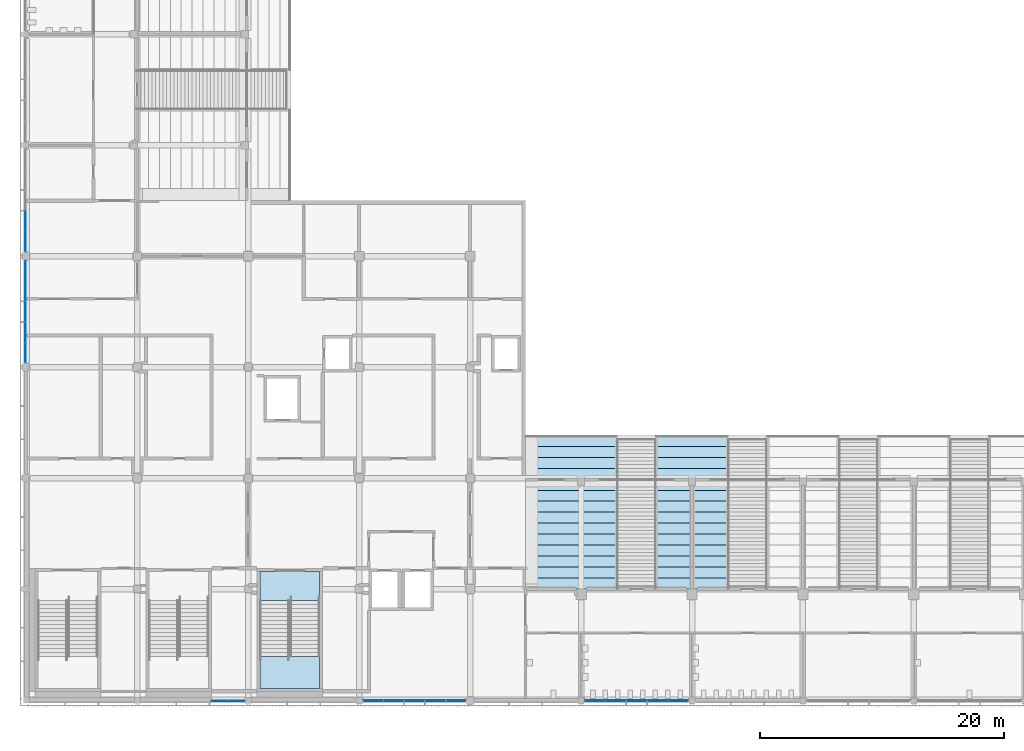
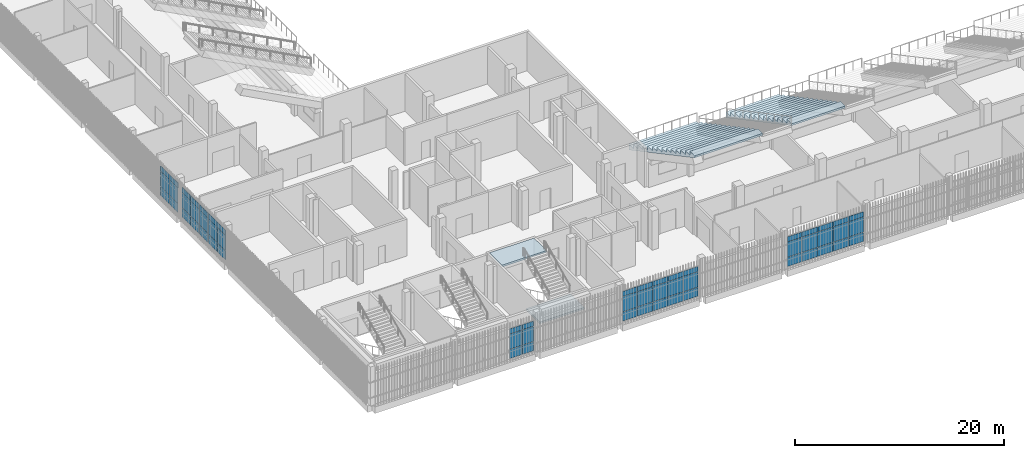
# One storey, part 63 of 139: 57 plates, 4 slabs, 6 elements without a shape of their own.
"""IFC4 building model written with IfcOpenShell, lengths in metres."""

from ifc_helpers import new_model, si_unit, direction, frame, origin, origin_2d, place, context, subcontext, project, spatial, polyline, rectangle, outline, extrude, material, layer, layer_set, type_object, element, aggregate, save


model = new_model("IFC4")

# Units and contexts
model_context = context("Model", 3, precision=1e-05, world=origin(), true_north=direction((0.0, 1.0)))
body_context = subcontext(model_context, "Body", "Model", "MODEL_VIEW")
ifc_project = project(units=[si_unit("LENGTHUNIT", "METRE"), si_unit("AREAUNIT", "SQUARE_METRE"), si_unit("VOLUMEUNIT", "CUBIC_METRE"), si_unit("PLANEANGLEUNIT", "RADIAN"), si_unit("MASSUNIT", "GRAM", prefix="KILO")], contexts=[model_context])

# Site, building, storey
site_placement = place(None, origin())
site = spatial("IfcSite", under=ifc_project, at=site_placement, CompositionType="ELEMENT")
building_placement = place(site_placement, origin())
building = spatial("IfcBuilding", under=site, at=building_placement, Name="Shirokan Park Arena", CompositionType="ELEMENT")
storey_placement = place(building_placement, frame((0.0, 0.0, 15.469970703125)))
storey = spatial("IfcBuildingStorey", under=building, at=storey_placement, Name="L03", CompositionType="ELEMENT", Elevation=15.469970703125)

# Curtain wall, plates
ifc_material_1 = material(Name="Steel and glass curtain wall", Category="steel")
ifc_layer_1 = layer(ifc_material_1, 0.1201171875)
ifc_layer_set_1 = layer_set([ifc_layer_1], Name="Steel and glass curtain wall 120 mm")
curtain_wall_type_1 = type_object("IfcCurtainWallType", Name="Curtain wall corner block side bay 120", PredefinedType="NOTDEFINED", material=ifc_layer_set_1)
curtain_wall_1_placement = place(storey_placement, origin())
curtain_wall_1 = element("IfcCurtainWall", 1, at=curtain_wall_1_placement, inside=storey, type_object=curtain_wall_type_1, Name="Curtain wall south bay 2 L03", PredefinedType="NOTDEFINED")
ifc_material_2 = material(Name="Aluminium sheet", Category="aluminium")
ifc_layer_2 = layer(ifc_material_2, 0.0029296875, Name="Aluminium sheet")
ifc_material_3 = material(Name="Mineral wool insulation")
ifc_layer_3 = layer(ifc_material_3, 0.053955078125, Name="Mineral wool insulation")
ifc_layer_4 = layer(ifc_material_2, 0.0029296875, Name="Aluminium sheet")
ifc_layer_set_2 = layer_set([ifc_layer_2, ifc_layer_3, ifc_layer_4], Name="Aluminium sheet + Mineral wool insulation")
plate_type_1 = type_object("IfcPlateType", Name="Insulated spandrel panel 60", PredefinedType="CURTAIN_PANEL", material=ifc_layer_set_2)
plate_1_placement = place(storey_placement, frame((15.875, -0.090087890625, 2.919921875), z_axis=(0.0, 0.0, 1.0), x_axis=(1.0, 0.0, 0.0)))
plate_1 = element("IfcPlate", 2, at=plate_1_placement, type_object=plate_type_1, Name="CW3 panel 1.3", PredefinedType="CURTAIN_PANEL", context=body_context, shape_type="SweptSolid", body=[
    extrude(rectangle(XDim=1.35009765625, YDim=0.06005859375, at=origin_2d()), origin(), (0.0, 0.0, 1.0), 0.590087890625),
])
plate_2_placement = place(storey_placement, frame((17.22509765625, -0.090087890625, 2.919921875), z_axis=(0.0, 0.0, 1.0), x_axis=(1.0, 0.0, 0.0)))
plate_2 = element("IfcPlate", 3, at=plate_2_placement, type_object=plate_type_1, Name="CW3 panel 2.3", PredefinedType="CURTAIN_PANEL", context=body_context, shape_type="SweptSolid", body=[
    extrude(rectangle(XDim=1.25, YDim=0.06005859375, at=origin_2d()), origin(), (0.0, 0.0, 1.0), 0.590087890625),
])

ifc_layer_5 = layer(ifc_material_1, 0.14990234375)
ifc_layer_set_3 = layer_set([ifc_layer_5], Name="Steel and glass curtain wall 150 mm")
curtain_wall_type_2 = type_object("IfcCurtainWallType", Name="Curtain wall exposed bay 150", PredefinedType="NOTDEFINED", material=ifc_layer_set_3)
curtain_wall_2_placement = place(storey_placement, origin())
curtain_wall_2 = element("IfcCurtainWall", 4, at=curtain_wall_2_placement, inside=storey, type_object=curtain_wall_type_2, Name="Curtain wall south bay 4 L03", PredefinedType="NOTDEFINED")
plate_3_placement = place(storey_placement, frame((28.465087890625, -0.074951171875, 2.919921875), z_axis=(0.0, 0.0, 1.0), x_axis=(1.0, 0.0, 0.0)))
plate_3 = element("IfcPlate", 5, at=plate_3_placement, type_object=plate_type_1, Name="CW1 panel 1.3", PredefinedType="CURTAIN_PANEL", context=body_context, shape_type="SweptSolid", body=[
    extrude(rectangle(XDim=1.580078125, YDim=0.06005859375, at=origin_2d()), origin(), (0.0, 0.0, 1.0), 0.590087890625),
])
plate_4_placement = place(storey_placement, frame((30.132568359375, -0.074951171875, 2.919921875), z_axis=(0.0, 0.0, 1.0), x_axis=(1.0, 0.0, 0.0)))
plate_4 = element("IfcPlate", 6, at=plate_4_placement, type_object=plate_type_1, Name="CW1 panel 2.3", PredefinedType="CURTAIN_PANEL", context=body_context, shape_type="SweptSolid", body=[
    extrude(rectangle(XDim=1.655029296875, YDim=0.06005859375, at=origin_2d()), origin(), (0.0, 0.0, 1.0), 0.590087890625),
])
plate_5_placement = place(storey_placement, frame((31.83740234375, -0.074951171875, 2.919921875), z_axis=(0.0, 0.0, 1.0), x_axis=(1.0, 0.0, 0.0)))
plate_5 = element("IfcPlate", 7, at=plate_5_placement, type_object=plate_type_1, Name="CW1 panel 3.3", PredefinedType="CURTAIN_PANEL", context=body_context, shape_type="SweptSolid", body=[
    extrude(rectangle(XDim=1.655029296875, YDim=0.06005859375, at=origin_2d()), origin(), (0.0, 0.0, 1.0), 0.590087890625),
])
plate_6_placement = place(storey_placement, frame((33.54248046875, -0.074951171875, 2.919921875), z_axis=(0.0, 0.0, 1.0), x_axis=(1.0, 0.0, 0.0)))
plate_6 = element("IfcPlate", 8, at=plate_6_placement, type_object=plate_type_1, Name="CW1 panel 4.3", PredefinedType="CURTAIN_PANEL", context=body_context, shape_type="SweptSolid", body=[
    extrude(rectangle(XDim=1.655029296875, YDim=0.06005859375, at=origin_2d()), origin(), (0.0, 0.0, 1.0), 0.590087890625),
])
plate_7_placement = place(storey_placement, frame((35.2099609375, -0.074951171875, 2.919921875), z_axis=(0.0, 0.0, 1.0), x_axis=(1.0, 0.0, 0.0)))
plate_7 = element("IfcPlate", 9, at=plate_7_placement, type_object=plate_type_1, Name="CW1 panel 5.3", PredefinedType="CURTAIN_PANEL", context=body_context, shape_type="SweptSolid", body=[
    extrude(rectangle(XDim=1.580078125, YDim=0.06005859375, at=origin_2d()), origin(), (0.0, 0.0, 1.0), 0.590087890625),
])

curtain_wall_3_placement = place(storey_placement, origin())
curtain_wall_3 = element("IfcCurtainWall", 10, at=curtain_wall_3_placement, inside=storey, type_object=curtain_wall_type_2, Name="Curtain wall south bay 6 L03", PredefinedType="NOTDEFINED")
plate_8_placement = place(storey_placement, frame((46.6474609375, -0.074951171875, 2.919921875), z_axis=(0.0, 0.0, 1.0), x_axis=(1.0, 0.0, 0.0)))
plate_8 = element("IfcPlate", 11, at=plate_8_placement, type_object=plate_type_1, Name="CW1 panel 1.3", PredefinedType="CURTAIN_PANEL", context=body_context, shape_type="SweptSolid", body=[
    extrude(rectangle(XDim=1.594970703125, YDim=0.06005859375, at=origin_2d()), origin(), (0.0, 0.0, 1.0), 0.590087890625),
])
plate_9_placement = place(storey_placement, frame((48.330078125, -0.074951171875, 2.919921875), z_axis=(0.0, 0.0, 1.0), x_axis=(1.0, 0.0, 0.0)))
plate_9 = element("IfcPlate", 12, at=plate_9_placement, type_object=plate_type_1, Name="CW1 panel 2.3", PredefinedType="CURTAIN_PANEL", context=body_context, shape_type="SweptSolid", body=[
    extrude(rectangle(XDim=1.669921875, YDim=0.06005859375, at=origin_2d()), origin(), (0.0, 0.0, 1.0), 0.590087890625),
])
plate_10_placement = place(storey_placement, frame((50.050048828125, -0.074951171875, 2.919921875), z_axis=(0.0, 0.0, 1.0), x_axis=(1.0, 0.0, 0.0)))
plate_10 = element("IfcPlate", 13, at=plate_10_placement, type_object=plate_type_1, Name="CW1 panel 3.3", PredefinedType="CURTAIN_PANEL", context=body_context, shape_type="SweptSolid", body=[
    extrude(rectangle(XDim=1.669921875, YDim=0.06005859375, at=origin_2d()), origin(), (0.0, 0.0, 1.0), 0.590087890625),
])
plate_11_placement = place(storey_placement, frame((51.77001953125, -0.074951171875, 2.919921875), z_axis=(0.0, 0.0, 1.0), x_axis=(1.0, 0.0, 0.0)))
plate_11 = element("IfcPlate", 14, at=plate_11_placement, type_object=plate_type_1, Name="CW1 panel 4.3", PredefinedType="CURTAIN_PANEL", context=body_context, shape_type="SweptSolid", body=[
    extrude(rectangle(XDim=1.669921875, YDim=0.06005859375, at=origin_2d()), origin(), (0.0, 0.0, 1.0), 0.590087890625),
])
plate_12_placement = place(storey_placement, frame((53.452392578125, -0.074951171875, 2.919921875), z_axis=(0.0, 0.0, 1.0), x_axis=(1.0, 0.0, 0.0)))
plate_12 = element("IfcPlate", 15, at=plate_12_placement, type_object=plate_type_1, Name="CW1 panel 5.3", PredefinedType="CURTAIN_PANEL", context=body_context, shape_type="SweptSolid", body=[
    extrude(rectangle(XDim=1.594970703125, YDim=0.06005859375, at=origin_2d()), origin(), (0.0, 0.0, 1.0), 0.590087890625),
])

curtain_wall_4_placement = place(storey_placement, origin())
curtain_wall_4 = element("IfcCurtainWall", 16, at=curtain_wall_4_placement, inside=storey, type_object=curtain_wall_type_2, Name="Curtain wall west bay 8 L03", PredefinedType="NOTDEFINED")
plate_13_placement = place(storey_placement, frame((-0.074951171875, 39.264892578125, 2.919921875), z_axis=(0.0, 0.0, 1.0), x_axis=(0.0, -1.0, 0.0)))
plate_13 = element("IfcPlate", 17, at=plate_13_placement, type_object=plate_type_1, Name="CW1 panel 4.3", PredefinedType="CURTAIN_PANEL", context=body_context, shape_type="SweptSolid", body=[
    extrude(rectangle(XDim=1.659912109375, YDim=0.06005859375, at=origin_2d()), origin(), (0.0, 0.0, 1.0), 0.590087890625),
])
plate_14_placement = place(storey_placement, frame((-0.074951171875, 37.592529296875, 2.919921875), z_axis=(0.0, 0.0, 1.0), x_axis=(0.0, -1.0, 0.0)))
plate_14 = element("IfcPlate", 18, at=plate_14_placement, type_object=plate_type_1, Name="CW1 panel 5.3", PredefinedType="CURTAIN_PANEL", context=body_context, shape_type="SweptSolid", body=[
    extrude(rectangle(XDim=1.5849609375, YDim=0.06005859375, at=origin_2d()), origin(), (0.0, 0.0, 1.0), 0.590087890625),
])

curtain_wall_5_placement = place(storey_placement, origin())
curtain_wall_5 = element("IfcCurtainWall", 19, at=curtain_wall_5_placement, inside=storey, type_object=curtain_wall_type_2, Name="Curtain wall west bay 9 L03", PredefinedType="NOTDEFINED")
plate_15_placement = place(storey_placement, frame((-0.074951171875, 35.21240234375, 2.919921875), z_axis=(0.0, 0.0, 1.0), x_axis=(0.0, -1.0, 0.0)))
plate_15 = element("IfcPlate", 20, at=plate_15_placement, type_object=plate_type_1, Name="CW1 panel 1.3", PredefinedType="CURTAIN_PANEL", context=body_context, shape_type="SweptSolid", body=[
    extrude(rectangle(XDim=1.574951171875, YDim=0.06005859375, at=origin_2d()), origin(), (0.0, 0.0, 1.0), 0.590087890625),
])
plate_16_placement = place(storey_placement, frame((-0.074951171875, 33.550048828125, 2.919921875), z_axis=(0.0, 0.0, 1.0), x_axis=(0.0, -1.0, 0.0)))
plate_16 = element("IfcPlate", 21, at=plate_16_placement, type_object=plate_type_1, Name="CW1 panel 2.3", PredefinedType="CURTAIN_PANEL", context=body_context, shape_type="SweptSolid", body=[
    extrude(rectangle(XDim=1.64990234375, YDim=0.06005859375, at=origin_2d()), origin(), (0.0, 0.0, 1.0), 0.590087890625),
])
plate_17_placement = place(storey_placement, frame((-0.074951171875, 31.85009765625, 2.919921875), z_axis=(0.0, 0.0, 1.0), x_axis=(0.0, -1.0, 0.0)))
plate_17 = element("IfcPlate", 22, at=plate_17_placement, type_object=plate_type_1, Name="CW1 panel 3.3", PredefinedType="CURTAIN_PANEL", context=body_context, shape_type="SweptSolid", body=[
    extrude(rectangle(XDim=1.64990234375, YDim=0.06005859375, at=origin_2d()), origin(), (0.0, 0.0, 1.0), 0.590087890625),
])
plate_18_placement = place(storey_placement, frame((-0.074951171875, 30.14990234375, 2.919921875), z_axis=(0.0, 0.0, 1.0), x_axis=(0.0, -1.0, 0.0)))
plate_18 = element("IfcPlate", 23, at=plate_18_placement, type_object=plate_type_1, Name="CW1 panel 4.3", PredefinedType="CURTAIN_PANEL", context=body_context, shape_type="SweptSolid", body=[
    extrude(rectangle(XDim=1.64990234375, YDim=0.06005859375, at=origin_2d()), origin(), (0.0, 0.0, 1.0), 0.590087890625),
])
plate_19_placement = place(storey_placement, frame((-0.074951171875, 28.487548828125, 2.919921875), z_axis=(0.0, 0.0, 1.0), x_axis=(0.0, -1.0, 0.0)))
plate_19 = element("IfcPlate", 24, at=plate_19_placement, type_object=plate_type_1, Name="CW1 panel 5.3", PredefinedType="CURTAIN_PANEL", context=body_context, shape_type="SweptSolid", body=[
    extrude(rectangle(XDim=1.574951171875, YDim=0.06005859375, at=origin_2d()), origin(), (0.0, 0.0, 1.0), 0.590087890625),
])

# Plate
ifc_material_4 = material(Name="Toughened glass", Category="glass")
ifc_layer_6 = layer(ifc_material_4, 0.012939453125, Name="Toughened glass")
ifc_material_5 = material(Name="Interlayer film")
ifc_layer_7 = layer(ifc_material_5, 0.001953125, Name="Interlayer film")
ifc_layer_8 = layer(ifc_material_4, 0.012939453125, Name="Toughened glass")
ifc_layer_set_4 = layer_set([ifc_layer_6, ifc_layer_7, ifc_layer_8], Name="Toughened glass + Interlayer film")
plate_type_2 = type_object("IfcPlateType", Name="Laminated glass panel 28", PredefinedType="CURTAIN_PANEL", material=ifc_layer_set_4)
plate_20_placement = place(storey_placement, frame((15.875, -0.090087890625, 1.1201171875), z_axis=(0.0, 0.0, 1.0), x_axis=(1.0, 0.0, 0.0)))
plate_20 = element("IfcPlate", 25, at=plate_20_placement, type_object=plate_type_2, Name="CW3 panel 1.2", PredefinedType="CURTAIN_PANEL", context=body_context, shape_type="SweptSolid", body=[
    extrude(rectangle(XDim=1.35009765625, YDim=0.028076171875, at=origin_2d()), origin(), (0.0, 0.0, 1.0), 1.760009765625),
])

plate_21_placement = place(storey_placement, frame((17.22509765625, -0.090087890625, 1.1201171875), z_axis=(0.0, 0.0, 1.0), x_axis=(1.0, 0.0, 0.0)))
plate_21 = element("IfcPlate", 26, at=plate_21_placement, type_object=plate_type_2, Name="CW3 panel 2.2", PredefinedType="CURTAIN_PANEL", context=body_context, shape_type="SweptSolid", body=[
    extrude(rectangle(XDim=1.25, YDim=0.028076171875, at=origin_2d()), origin(), (0.0, 0.0, 1.0), 1.760009765625),
])

plate_22_placement = place(storey_placement, frame((28.465087890625, -0.074951171875, 1.1201171875), z_axis=(0.0, 0.0, 1.0), x_axis=(1.0, 0.0, 0.0)))
plate_22 = element("IfcPlate", 27, at=plate_22_placement, type_object=plate_type_2, Name="CW1 panel 1.2", PredefinedType="CURTAIN_PANEL", context=body_context, shape_type="SweptSolid", body=[
    extrude(rectangle(XDim=1.580078125, YDim=0.028076171875, at=origin_2d()), origin(), (0.0, 0.0, 1.0), 1.760009765625),
])

plate_23_placement = place(storey_placement, frame((30.132568359375, -0.074951171875, 1.1201171875), z_axis=(0.0, 0.0, 1.0), x_axis=(1.0, 0.0, 0.0)))
plate_23 = element("IfcPlate", 28, at=plate_23_placement, type_object=plate_type_2, Name="CW1 panel 2.2", PredefinedType="CURTAIN_PANEL", context=body_context, shape_type="SweptSolid", body=[
    extrude(rectangle(XDim=1.655029296875, YDim=0.028076171875, at=origin_2d()), origin(), (0.0, 0.0, 1.0), 1.760009765625),
])

plate_24_placement = place(storey_placement, frame((31.83740234375, -0.074951171875, 1.1201171875), z_axis=(0.0, 0.0, 1.0), x_axis=(1.0, 0.0, 0.0)))
plate_24 = element("IfcPlate", 29, at=plate_24_placement, type_object=plate_type_2, Name="CW1 panel 3.2", PredefinedType="CURTAIN_PANEL", context=body_context, shape_type="SweptSolid", body=[
    extrude(rectangle(XDim=1.655029296875, YDim=0.028076171875, at=origin_2d()), origin(), (0.0, 0.0, 1.0), 1.760009765625),
])

plate_25_placement = place(storey_placement, frame((33.54248046875, -0.074951171875, 1.1201171875), z_axis=(0.0, 0.0, 1.0), x_axis=(1.0, 0.0, 0.0)))
plate_25 = element("IfcPlate", 30, at=plate_25_placement, type_object=plate_type_2, Name="CW1 panel 4.2", PredefinedType="CURTAIN_PANEL", context=body_context, shape_type="SweptSolid", body=[
    extrude(rectangle(XDim=1.655029296875, YDim=0.028076171875, at=origin_2d()), origin(), (0.0, 0.0, 1.0), 1.760009765625),
])

plate_26_placement = place(storey_placement, frame((35.2099609375, -0.074951171875, 1.1201171875), z_axis=(0.0, 0.0, 1.0), x_axis=(1.0, 0.0, 0.0)))
plate_26 = element("IfcPlate", 31, at=plate_26_placement, type_object=plate_type_2, Name="CW1 panel 5.2", PredefinedType="CURTAIN_PANEL", context=body_context, shape_type="SweptSolid", body=[
    extrude(rectangle(XDim=1.580078125, YDim=0.028076171875, at=origin_2d()), origin(), (0.0, 0.0, 1.0), 1.760009765625),
])

plate_27_placement = place(storey_placement, frame((46.6474609375, -0.074951171875, 1.1201171875), z_axis=(0.0, 0.0, 1.0), x_axis=(1.0, 0.0, 0.0)))
plate_27 = element("IfcPlate", 32, at=plate_27_placement, type_object=plate_type_2, Name="CW1 panel 1.2", PredefinedType="CURTAIN_PANEL", context=body_context, shape_type="SweptSolid", body=[
    extrude(rectangle(XDim=1.594970703125, YDim=0.028076171875, at=origin_2d()), origin(), (0.0, 0.0, 1.0), 1.760009765625),
])

plate_28_placement = place(storey_placement, frame((48.330078125, -0.074951171875, 1.1201171875), z_axis=(0.0, 0.0, 1.0), x_axis=(1.0, 0.0, 0.0)))
plate_28 = element("IfcPlate", 33, at=plate_28_placement, type_object=plate_type_2, Name="CW1 panel 2.2", PredefinedType="CURTAIN_PANEL", context=body_context, shape_type="SweptSolid", body=[
    extrude(rectangle(XDim=1.669921875, YDim=0.028076171875, at=origin_2d()), origin(), (0.0, 0.0, 1.0), 1.760009765625),
])

plate_29_placement = place(storey_placement, frame((50.050048828125, -0.074951171875, 1.1201171875), z_axis=(0.0, 0.0, 1.0), x_axis=(1.0, 0.0, 0.0)))
plate_29 = element("IfcPlate", 34, at=plate_29_placement, type_object=plate_type_2, Name="CW1 panel 3.2", PredefinedType="CURTAIN_PANEL", context=body_context, shape_type="SweptSolid", body=[
    extrude(rectangle(XDim=1.669921875, YDim=0.028076171875, at=origin_2d()), origin(), (0.0, 0.0, 1.0), 1.760009765625),
])

plate_30_placement = place(storey_placement, frame((51.77001953125, -0.074951171875, 1.1201171875), z_axis=(0.0, 0.0, 1.0), x_axis=(1.0, 0.0, 0.0)))
plate_30 = element("IfcPlate", 35, at=plate_30_placement, type_object=plate_type_2, Name="CW1 panel 4.2", PredefinedType="CURTAIN_PANEL", context=body_context, shape_type="SweptSolid", body=[
    extrude(rectangle(XDim=1.669921875, YDim=0.028076171875, at=origin_2d()), origin(), (0.0, 0.0, 1.0), 1.760009765625),
])

plate_31_placement = place(storey_placement, frame((53.452392578125, -0.074951171875, 1.1201171875), z_axis=(0.0, 0.0, 1.0), x_axis=(1.0, 0.0, 0.0)))
plate_31 = element("IfcPlate", 36, at=plate_31_placement, type_object=plate_type_2, Name="CW1 panel 5.2", PredefinedType="CURTAIN_PANEL", context=body_context, shape_type="SweptSolid", body=[
    extrude(rectangle(XDim=1.594970703125, YDim=0.028076171875, at=origin_2d()), origin(), (0.0, 0.0, 1.0), 1.760009765625),
])

plate_32_placement = place(storey_placement, frame((-0.074951171875, 39.264892578125, 1.1201171875), z_axis=(0.0, 0.0, 1.0), x_axis=(0.0, -1.0, 0.0)))
plate_32 = element("IfcPlate", 37, at=plate_32_placement, type_object=plate_type_2, Name="CW1 panel 4.2", PredefinedType="CURTAIN_PANEL", context=body_context, shape_type="SweptSolid", body=[
    extrude(rectangle(XDim=1.659912109375, YDim=0.028076171875, at=origin_2d()), origin(), (0.0, 0.0, 1.0), 1.760009765625),
])

plate_33_placement = place(storey_placement, frame((-0.074951171875, 37.592529296875, 1.1201171875), z_axis=(0.0, 0.0, 1.0), x_axis=(0.0, -1.0, 0.0)))
plate_33 = element("IfcPlate", 38, at=plate_33_placement, type_object=plate_type_2, Name="CW1 panel 5.2", PredefinedType="CURTAIN_PANEL", context=body_context, shape_type="SweptSolid", body=[
    extrude(rectangle(XDim=1.5849609375, YDim=0.028076171875, at=origin_2d()), origin(), (0.0, 0.0, 1.0), 1.760009765625),
])

plate_34_placement = place(storey_placement, frame((-0.074951171875, 35.21240234375, 1.1201171875), z_axis=(0.0, 0.0, 1.0), x_axis=(0.0, -1.0, 0.0)))
plate_34 = element("IfcPlate", 39, at=plate_34_placement, type_object=plate_type_2, Name="CW1 panel 1.2", PredefinedType="CURTAIN_PANEL", context=body_context, shape_type="SweptSolid", body=[
    extrude(rectangle(XDim=1.574951171875, YDim=0.028076171875, at=origin_2d()), origin(), (0.0, 0.0, 1.0), 1.760009765625),
])

plate_35_placement = place(storey_placement, frame((-0.074951171875, 33.550048828125, 1.1201171875), z_axis=(0.0, 0.0, 1.0), x_axis=(0.0, -1.0, 0.0)))
plate_35 = element("IfcPlate", 40, at=plate_35_placement, type_object=plate_type_2, Name="CW1 panel 2.2", PredefinedType="CURTAIN_PANEL", context=body_context, shape_type="SweptSolid", body=[
    extrude(rectangle(XDim=1.64990234375, YDim=0.028076171875, at=origin_2d()), origin(), (0.0, 0.0, 1.0), 1.760009765625),
])

plate_36_placement = place(storey_placement, frame((-0.074951171875, 31.85009765625, 1.1201171875), z_axis=(0.0, 0.0, 1.0), x_axis=(0.0, -1.0, 0.0)))
plate_36 = element("IfcPlate", 41, at=plate_36_placement, type_object=plate_type_2, Name="CW1 panel 3.2", PredefinedType="CURTAIN_PANEL", context=body_context, shape_type="SweptSolid", body=[
    extrude(rectangle(XDim=1.64990234375, YDim=0.028076171875, at=origin_2d()), origin(), (0.0, 0.0, 1.0), 1.760009765625),
])

plate_37_placement = place(storey_placement, frame((-0.074951171875, 30.14990234375, 1.1201171875), z_axis=(0.0, 0.0, 1.0), x_axis=(0.0, -1.0, 0.0)))
plate_37 = element("IfcPlate", 42, at=plate_37_placement, type_object=plate_type_2, Name="CW1 panel 4.2", PredefinedType="CURTAIN_PANEL", context=body_context, shape_type="SweptSolid", body=[
    extrude(rectangle(XDim=1.64990234375, YDim=0.028076171875, at=origin_2d()), origin(), (0.0, 0.0, 1.0), 1.760009765625),
])

plate_38_placement = place(storey_placement, frame((-0.074951171875, 28.487548828125, 1.1201171875), z_axis=(0.0, 0.0, 1.0), x_axis=(0.0, -1.0, 0.0)))
plate_38 = element("IfcPlate", 43, at=plate_38_placement, type_object=plate_type_2, Name="CW1 panel 5.2", PredefinedType="CURTAIN_PANEL", context=body_context, shape_type="SweptSolid", body=[
    extrude(rectangle(XDim=1.574951171875, YDim=0.028076171875, at=origin_2d()), origin(), (0.0, 0.0, 1.0), 1.760009765625),
])

ifc_layer_9 = layer(ifc_material_4, 0.01708984375, Name="Toughened glass")
ifc_layer_10 = layer(ifc_material_5, 0.001953125, Name="Interlayer film")
ifc_layer_11 = layer(ifc_material_4, 0.01708984375, Name="Toughened glass")
ifc_layer_set_5 = layer_set([ifc_layer_9, ifc_layer_10, ifc_layer_11], Name="Toughened glass + Interlayer film")
plate_type_3 = type_object("IfcPlateType", Name="Laminated safety glass panel 36", PredefinedType="CURTAIN_PANEL", material=ifc_layer_set_5)
plate_39_placement = place(storey_placement, frame((15.875, -0.090087890625, 0.0400390625), z_axis=(0.0, 0.0, 1.0), x_axis=(1.0, 0.0, 0.0)))
plate_39 = element("IfcPlate", 44, at=plate_39_placement, type_object=plate_type_3, Name="CW3 panel 1.1", PredefinedType="CURTAIN_PANEL", context=body_context, shape_type="SweptSolid", body=[
    extrude(rectangle(XDim=1.35009765625, YDim=0.035888671875, at=origin_2d()), origin(), (0.0, 0.0, 1.0), 1.0400390625),
])

plate_40_placement = place(storey_placement, frame((17.22509765625, -0.090087890625, 0.0400390625), z_axis=(0.0, 0.0, 1.0), x_axis=(1.0, 0.0, 0.0)))
plate_40 = element("IfcPlate", 45, at=plate_40_placement, type_object=plate_type_3, Name="CW3 panel 2.1", PredefinedType="CURTAIN_PANEL", context=body_context, shape_type="SweptSolid", body=[
    extrude(rectangle(XDim=1.25, YDim=0.035888671875, at=origin_2d()), origin(), (0.0, 0.0, 1.0), 1.0400390625),
])

aggregate(curtain_wall_1, [plate_39, plate_20, plate_1, plate_40, plate_21, plate_2])

plate_41_placement = place(storey_placement, frame((28.465087890625, -0.074951171875, 0.0400390625), z_axis=(0.0, 0.0, 1.0), x_axis=(1.0, 0.0, 0.0)))
plate_41 = element("IfcPlate", 46, at=plate_41_placement, type_object=plate_type_3, Name="CW1 panel 1.1", PredefinedType="CURTAIN_PANEL", context=body_context, shape_type="SweptSolid", body=[
    extrude(rectangle(XDim=1.580078125, YDim=0.035888671875, at=origin_2d()), origin(), (0.0, 0.0, 1.0), 1.0400390625),
])

plate_42_placement = place(storey_placement, frame((30.132568359375, -0.074951171875, 0.0400390625), z_axis=(0.0, 0.0, 1.0), x_axis=(1.0, 0.0, 0.0)))
plate_42 = element("IfcPlate", 47, at=plate_42_placement, type_object=plate_type_3, Name="CW1 panel 2.1", PredefinedType="CURTAIN_PANEL", context=body_context, shape_type="SweptSolid", body=[
    extrude(rectangle(XDim=1.655029296875, YDim=0.035888671875, at=origin_2d()), origin(), (0.0, 0.0, 1.0), 1.0400390625),
])

plate_43_placement = place(storey_placement, frame((31.83740234375, -0.074951171875, 0.0400390625), z_axis=(0.0, 0.0, 1.0), x_axis=(1.0, 0.0, 0.0)))
plate_43 = element("IfcPlate", 48, at=plate_43_placement, type_object=plate_type_3, Name="CW1 panel 3.1", PredefinedType="CURTAIN_PANEL", context=body_context, shape_type="SweptSolid", body=[
    extrude(rectangle(XDim=1.655029296875, YDim=0.035888671875, at=origin_2d()), origin(), (0.0, 0.0, 1.0), 1.0400390625),
])

plate_44_placement = place(storey_placement, frame((33.54248046875, -0.074951171875, 0.0400390625), z_axis=(0.0, 0.0, 1.0), x_axis=(1.0, 0.0, 0.0)))
plate_44 = element("IfcPlate", 49, at=plate_44_placement, type_object=plate_type_3, Name="CW1 panel 4.1", PredefinedType="CURTAIN_PANEL", context=body_context, shape_type="SweptSolid", body=[
    extrude(rectangle(XDim=1.655029296875, YDim=0.035888671875, at=origin_2d()), origin(), (0.0, 0.0, 1.0), 1.0400390625),
])

plate_45_placement = place(storey_placement, frame((35.2099609375, -0.074951171875, 0.0400390625), z_axis=(0.0, 0.0, 1.0), x_axis=(1.0, 0.0, 0.0)))
plate_45 = element("IfcPlate", 50, at=plate_45_placement, type_object=plate_type_3, Name="CW1 panel 5.1", PredefinedType="CURTAIN_PANEL", context=body_context, shape_type="SweptSolid", body=[
    extrude(rectangle(XDim=1.580078125, YDim=0.035888671875, at=origin_2d()), origin(), (0.0, 0.0, 1.0), 1.0400390625),
])

aggregate(curtain_wall_2, [plate_41, plate_22, plate_3, plate_42, plate_23, plate_4, plate_43, plate_24, plate_5, plate_44, plate_25, plate_6, plate_45, plate_26, plate_7])

plate_46_placement = place(storey_placement, frame((46.6474609375, -0.074951171875, 0.0400390625), z_axis=(0.0, 0.0, 1.0), x_axis=(1.0, 0.0, 0.0)))
plate_46 = element("IfcPlate", 51, at=plate_46_placement, type_object=plate_type_3, Name="CW1 panel 1.1", PredefinedType="CURTAIN_PANEL", context=body_context, shape_type="SweptSolid", body=[
    extrude(rectangle(XDim=1.594970703125, YDim=0.035888671875, at=origin_2d()), origin(), (0.0, 0.0, 1.0), 1.0400390625),
])

plate_47_placement = place(storey_placement, frame((48.330078125, -0.074951171875, 0.0400390625), z_axis=(0.0, 0.0, 1.0), x_axis=(1.0, 0.0, 0.0)))
plate_47 = element("IfcPlate", 52, at=plate_47_placement, type_object=plate_type_3, Name="CW1 panel 2.1", PredefinedType="CURTAIN_PANEL", context=body_context, shape_type="SweptSolid", body=[
    extrude(rectangle(XDim=1.669921875, YDim=0.035888671875, at=origin_2d()), origin(), (0.0, 0.0, 1.0), 1.0400390625),
])

plate_48_placement = place(storey_placement, frame((50.050048828125, -0.074951171875, 0.0400390625), z_axis=(0.0, 0.0, 1.0), x_axis=(1.0, 0.0, 0.0)))
plate_48 = element("IfcPlate", 53, at=plate_48_placement, type_object=plate_type_3, Name="CW1 panel 3.1", PredefinedType="CURTAIN_PANEL", context=body_context, shape_type="SweptSolid", body=[
    extrude(rectangle(XDim=1.669921875, YDim=0.035888671875, at=origin_2d()), origin(), (0.0, 0.0, 1.0), 1.0400390625),
])

plate_49_placement = place(storey_placement, frame((51.77001953125, -0.074951171875, 0.0400390625), z_axis=(0.0, 0.0, 1.0), x_axis=(1.0, 0.0, 0.0)))
plate_49 = element("IfcPlate", 54, at=plate_49_placement, type_object=plate_type_3, Name="CW1 panel 4.1", PredefinedType="CURTAIN_PANEL", context=body_context, shape_type="SweptSolid", body=[
    extrude(rectangle(XDim=1.669921875, YDim=0.035888671875, at=origin_2d()), origin(), (0.0, 0.0, 1.0), 1.0400390625),
])

plate_50_placement = place(storey_placement, frame((53.452392578125, -0.074951171875, 0.0400390625), z_axis=(0.0, 0.0, 1.0), x_axis=(1.0, 0.0, 0.0)))
plate_50 = element("IfcPlate", 55, at=plate_50_placement, type_object=plate_type_3, Name="CW1 panel 5.1", PredefinedType="CURTAIN_PANEL", context=body_context, shape_type="SweptSolid", body=[
    extrude(rectangle(XDim=1.594970703125, YDim=0.035888671875, at=origin_2d()), origin(), (0.0, 0.0, 1.0), 1.0400390625),
])

aggregate(curtain_wall_3, [plate_46, plate_27, plate_8, plate_47, plate_28, plate_9, plate_48, plate_29, plate_10, plate_49, plate_30, plate_11, plate_50, plate_31, plate_12])

plate_51_placement = place(storey_placement, frame((-0.074951171875, 39.264892578125, 0.0400390625), z_axis=(0.0, 0.0, 1.0), x_axis=(0.0, -1.0, 0.0)))
plate_51 = element("IfcPlate", 56, at=plate_51_placement, type_object=plate_type_3, Name="CW1 panel 4.1", PredefinedType="CURTAIN_PANEL", context=body_context, shape_type="SweptSolid", body=[
    extrude(rectangle(XDim=1.659912109375, YDim=0.035888671875, at=origin_2d()), origin(), (0.0, 0.0, 1.0), 1.0400390625),
])

plate_52_placement = place(storey_placement, frame((-0.074951171875, 37.592529296875, 0.0400390625), z_axis=(0.0, 0.0, 1.0), x_axis=(0.0, -1.0, 0.0)))
plate_52 = element("IfcPlate", 57, at=plate_52_placement, type_object=plate_type_3, Name="CW1 panel 5.1", PredefinedType="CURTAIN_PANEL", context=body_context, shape_type="SweptSolid", body=[
    extrude(rectangle(XDim=1.5849609375, YDim=0.035888671875, at=origin_2d()), origin(), (0.0, 0.0, 1.0), 1.0400390625),
])

aggregate(curtain_wall_4, [plate_51, plate_32, plate_13, plate_52, plate_33, plate_14])

plate_53_placement = place(storey_placement, frame((-0.074951171875, 35.21240234375, 0.0400390625), z_axis=(0.0, 0.0, 1.0), x_axis=(0.0, -1.0, 0.0)))
plate_53 = element("IfcPlate", 58, at=plate_53_placement, type_object=plate_type_3, Name="CW1 panel 1.1", PredefinedType="CURTAIN_PANEL", context=body_context, shape_type="SweptSolid", body=[
    extrude(rectangle(XDim=1.574951171875, YDim=0.035888671875, at=origin_2d()), origin(), (0.0, 0.0, 1.0), 1.0400390625),
])

plate_54_placement = place(storey_placement, frame((-0.074951171875, 33.550048828125, 0.0400390625), z_axis=(0.0, 0.0, 1.0), x_axis=(0.0, -1.0, 0.0)))
plate_54 = element("IfcPlate", 59, at=plate_54_placement, type_object=plate_type_3, Name="CW1 panel 2.1", PredefinedType="CURTAIN_PANEL", context=body_context, shape_type="SweptSolid", body=[
    extrude(rectangle(XDim=1.64990234375, YDim=0.035888671875, at=origin_2d()), origin(), (0.0, 0.0, 1.0), 1.0400390625),
])

plate_55_placement = place(storey_placement, frame((-0.074951171875, 31.85009765625, 0.0400390625), z_axis=(0.0, 0.0, 1.0), x_axis=(0.0, -1.0, 0.0)))
plate_55 = element("IfcPlate", 60, at=plate_55_placement, type_object=plate_type_3, Name="CW1 panel 3.1", PredefinedType="CURTAIN_PANEL", context=body_context, shape_type="SweptSolid", body=[
    extrude(rectangle(XDim=1.64990234375, YDim=0.035888671875, at=origin_2d()), origin(), (0.0, 0.0, 1.0), 1.0400390625),
])

plate_56_placement = place(storey_placement, frame((-0.074951171875, 30.14990234375, 0.0400390625), z_axis=(0.0, 0.0, 1.0), x_axis=(0.0, -1.0, 0.0)))
plate_56 = element("IfcPlate", 61, at=plate_56_placement, type_object=plate_type_3, Name="CW1 panel 4.1", PredefinedType="CURTAIN_PANEL", context=body_context, shape_type="SweptSolid", body=[
    extrude(rectangle(XDim=1.64990234375, YDim=0.035888671875, at=origin_2d()), origin(), (0.0, 0.0, 1.0), 1.0400390625),
])

plate_57_placement = place(storey_placement, frame((-0.074951171875, 28.487548828125, 0.0400390625), z_axis=(0.0, 0.0, 1.0), x_axis=(0.0, -1.0, 0.0)))
plate_57 = element("IfcPlate", 62, at=plate_57_placement, type_object=plate_type_3, Name="CW1 panel 5.1", PredefinedType="CURTAIN_PANEL", context=body_context, shape_type="SweptSolid", body=[
    extrude(rectangle(XDim=1.574951171875, YDim=0.035888671875, at=origin_2d()), origin(), (0.0, 0.0, 1.0), 1.0400390625),
])

aggregate(curtain_wall_5, [plate_53, plate_34, plate_15, plate_54, plate_35, plate_16, plate_55, plate_36, plate_17, plate_56, plate_37, plate_18, plate_57, plate_38, plate_19])

# Slabs
ifc_material_6 = material(Name="Concrete C35", Category="concrete")
ifc_layer_12 = layer(ifc_material_6, 0.199951171875)
ifc_layer_set_6 = layer_set([ifc_layer_12], Name="Concrete C35 200 mm")
slab_type_1 = type_object("IfcSlabType", Name="RC seating tier upper 200", PredefinedType="USERDEFINED", material=ifc_layer_set_6)
slab_1_placement = place(storey_placement, frame((44.699951171875, 21.699951171875, 2.860107421875), z_axis=(0.0, 0.0, 1.0), x_axis=(0.0, -1.0, 0.0)))
element("IfcSlab", 63, at=slab_1_placement, inside=storey, type_object=slab_type_1, Name="Stand upper S 1", ObjectType="SEATING TIER", PredefinedType="USERDEFINED", context=body_context, shape_type="SweptSolid", body=[
    extrude(outline(polyline([(0.0, 0.0), (0.89990234375, 0.0), (0.89990234375, 0.47998046875), (1.800048828125, 0.47998046875), (1.800048828125, 0.9599609375), (2.699951171875, 0.9599609375), (2.699951171875, 1.43994140625), (3.60009765625, 1.43994140625), (3.60009765625, 1.919921875), (4.5, 1.919921875), (4.5, 2.39990234375), (5.39990234375, 2.39990234375), (5.39990234375, 2.8798828125), (6.300048828125, 2.8798828125), (6.300048828125, 3.360107421875), (7.199951171875, 3.360107421875), (7.199951171875, 3.840087890625), (8.10009765625, 3.840087890625), (8.10009765625, 4.320068359375), (9.0, 4.320068359375), (9.0, 4.800048828125), (9.89990234375, 4.800048828125), (9.89990234375, 5.280029296875), (10.800048828125, 5.280029296875), (10.800048828125, 5.760009765625), (11.699951171875, 5.760009765625), (11.699951171875, 6.239990234375), (12.60009765625, 6.239990234375), (12.60009765625, 6.013427734375), (0.0, -0.706787109375), (0.0, 0.0)])), frame((0.0, 3.75, 0.0), z_axis=(0.0, -1.0, 0.0), x_axis=(1.0, 0.0, 0.0)), (0.0, 0.0, 1.0), 7.5),
])
slab_2_placement = place(storey_placement, frame((54.60009765625, 21.699951171875, 2.860107421875), z_axis=(0.0, 0.0, 1.0), x_axis=(0.0, -1.0, 0.0)))
element("IfcSlab", 64, at=slab_2_placement, inside=storey, type_object=slab_type_1, Name="Stand upper S 2", ObjectType="SEATING TIER", PredefinedType="USERDEFINED", context=body_context, shape_type="SweptSolid", body=[
    extrude(outline(polyline([(0.0, 0.0), (0.89990234375, 0.0), (0.89990234375, 0.47998046875), (1.800048828125, 0.47998046875), (1.800048828125, 0.9599609375), (2.699951171875, 0.9599609375), (2.699951171875, 1.43994140625), (3.60009765625, 1.43994140625), (3.60009765625, 1.919921875), (4.5, 1.919921875), (4.5, 2.39990234375), (5.39990234375, 2.39990234375), (5.39990234375, 2.8798828125), (6.300048828125, 2.8798828125), (6.300048828125, 3.360107421875), (7.199951171875, 3.360107421875), (7.199951171875, 3.840087890625), (8.10009765625, 3.840087890625), (8.10009765625, 4.320068359375), (9.0, 4.320068359375), (9.0, 4.800048828125), (9.89990234375, 4.800048828125), (9.89990234375, 5.280029296875), (10.800048828125, 5.280029296875), (10.800048828125, 5.760009765625), (11.699951171875, 5.760009765625), (11.699951171875, 6.239990234375), (12.60009765625, 6.239990234375), (12.60009765625, 6.013427734375), (0.0, -0.706787109375), (0.0, 0.0)])), frame((0.0, 2.949951171875, 0.0), z_axis=(0.0, -1.0, 0.0), x_axis=(1.0, 0.0, 0.0)), (0.0, 0.0, 1.0), 5.89990234375),
])

# Stair, slabs
ifc_material_7 = material(Name="Concrete C30 precast", Category="concrete")
stair_type = type_object("IfcStairType", Name="Stair 30 risers 152 x 327 2400 wide", PredefinedType="TWO_STRAIGHT_RUN_STAIR", material=ifc_material_7)
stair_placement = place(storey_placement, origin())
stair = element("IfcStair", 65, at=stair_placement, inside=storey, type_object=stair_type, Name="Exit Stair 1.C L03 to L04", PredefinedType="TWO_STRAIGHT_RUN_STAIR")
ifc_layer_13 = layer(ifc_material_7, 0.199951171875)
ifc_layer_set_7 = layer_set([ifc_layer_13], Name="Concrete C30 precast 200 mm")
slab_type_2 = type_object("IfcSlabType", Name="Stair landing 200", PredefinedType="LANDING", material=ifc_layer_set_7)
slab_3_placement = place(storey_placement, frame((0.0, 0.0, 2.074951171875)))
slab_3 = element("IfcSlab", 66, at=slab_3_placement, type_object=slab_type_2, Name="ST03.4 landing 1", PredefinedType="LANDING", context=body_context, shape_type="SweptSolid", body=[
    extrude(outline(polyline([(19.14990234375, 0.949951171875), (24.050048828125, 0.949951171875), (24.050048828125, 3.576171875), (19.14990234375, 3.576171875), (19.14990234375, 0.949951171875)])), origin(), (0.0, 0.0, 1.0), 0.2001953125),
])
slab_4_placement = place(storey_placement, frame((0.0, 0.0, 4.35009765625)))
slab_4 = element("IfcSlab", 67, at=slab_4_placement, type_object=slab_type_2, Name="ST03.4 landing 2", PredefinedType="LANDING", context=body_context, shape_type="SweptSolid", body=[
    extrude(outline(polyline([(19.14990234375, 8.14990234375), (24.050048828125, 8.14990234375), (24.050048828125, 10.550048828125), (19.14990234375, 10.550048828125), (19.14990234375, 8.14990234375)])), origin(), (0.0, 0.0, 1.0), 0.199951171875),
])
aggregate(stair, [slab_3, slab_4])

save(model, "model.ifc")
